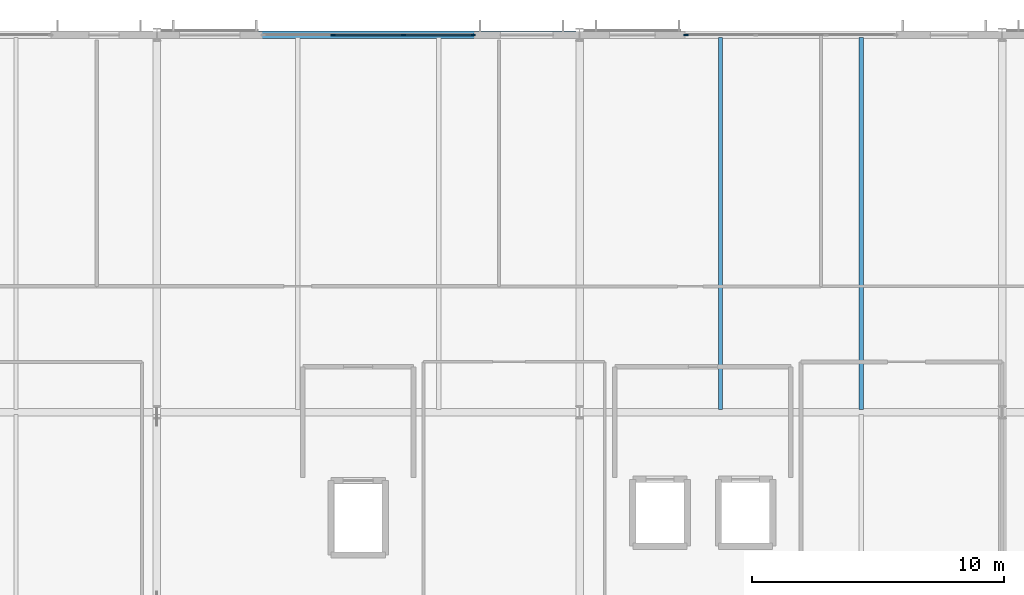
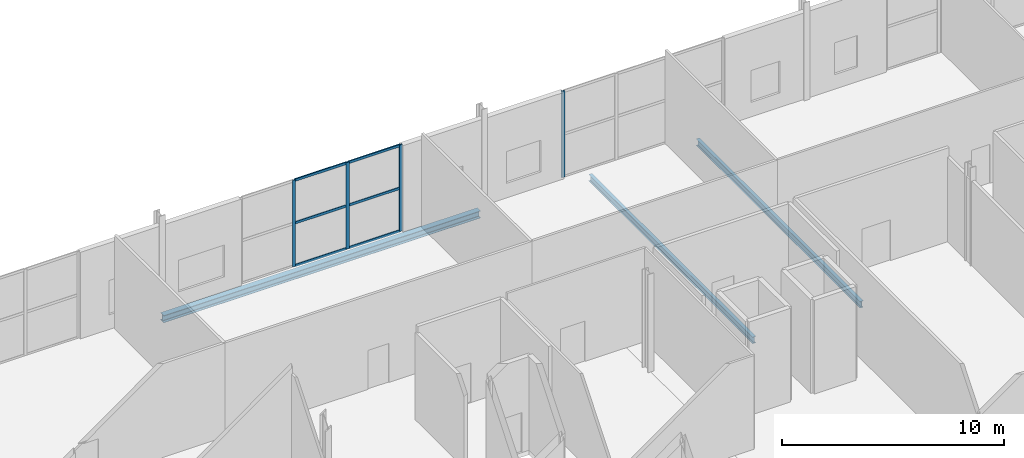
# One storey, part 32 of 84: 10 members, 3 beams, 2 elements without a shape of their own.
"""IFC4 building model written with IfcOpenShell, lengths in metres."""

from ifc_helpers import new_model, si_unit, direction, frame, origin, origin_2d, place, context, subcontext, project, spatial, rectangle, i_section, extrude, material, material_profile, profile_set, type_object, element, aggregate, save


model = new_model("IFC4")

# Units and contexts
model_context = context("Model", 3, precision=1e-05, world=origin(), true_north=direction((0.0, 1.0)))
body_context = subcontext(model_context, "Body", "Model", "MODEL_VIEW")
ifc_project = project(units=[si_unit("LENGTHUNIT", "METRE"), si_unit("AREAUNIT", "SQUARE_METRE"), si_unit("VOLUMEUNIT", "CUBIC_METRE"), si_unit("PLANEANGLEUNIT", "RADIAN"), si_unit("MASSUNIT", "GRAM", prefix="KILO")], contexts=[model_context])

# Site, building, storey
site_placement = place(None, origin())
site = spatial("IfcSite", under=ifc_project, at=site_placement, CompositionType="ELEMENT")
building_placement = place(site_placement, origin())
building = spatial("IfcBuilding", under=site, at=building_placement, Name="Kimbaza Rail Terminus", CompositionType="ELEMENT")
storey_placement = place(building_placement, frame((0.0, 0.0, 5.39990234375)))
storey = spatial("IfcBuildingStorey", under=building, at=storey_placement, Name="L01", CompositionType="ELEMENT", Elevation=5.39990234375)

# Curtain wall, members
ifc_material_1 = material(Name="Anodised aluminium framing and solar low-E glazing", Category="aluminium")
curtain_wall_type = type_object("IfcCurtainWallType", Name="ARC-CW-OP1", PredefinedType="USERDEFINED", material=ifc_material_1)
curtain_wall_1_placement = place(storey_placement, origin())
curtain_wall_1 = element("IfcCurtainWall", 1, at=curtain_wall_1_placement, inside=storey, type_object=curtain_wall_type, Name="Operations North Curtain Wall L01 Bay 2", ObjectType="UNITISED CURTAIN WALL", PredefinedType="USERDEFINED")
ifc_material_2 = material(Name="Anodised architectural aluminium", Category="aluminium")
ifc_material_profile_1 = material_profile(ifc_material_2, rectangle(XDim=0.06201171875, YDim=0.1650390625, at=origin_2d()), Name="MULLION 62x165")
ifc_profile_set_1 = profile_set([ifc_material_profile_1], Name="Anodised architectural aluminium")
member_type_1 = type_object("IfcMemberType", Name="ARC-CWM-05", PredefinedType="MULLION", material=ifc_profile_set_1)
member_1_placement = place(storey_placement, frame((79.0, 133.0, 0.0), z_axis=(0.0, 0.0, 1.0), x_axis=(0.0, 1.0, 0.0)))
member_1 = element("IfcMember", 2, at=member_1_placement, type_object=member_type_1, Name="CW-05 mullion 2", PredefinedType="MULLION", context=body_context, shape_type="SweptSolid", body=[
    extrude(rectangle(XDim=0.06201171875, YDim=0.1650390625, at=origin_2d()), origin(), (0.0, 0.0, 1.0), 4.76513671875),
])
member_2_placement = place(storey_placement, frame((81.800048828125, 133.0, 0.0), z_axis=(0.0, 0.0, 1.0), x_axis=(0.0, 1.0, 0.0)))
member_2 = element("IfcMember", 3, at=member_2_placement, type_object=member_type_1, Name="CW-05 mullion 3", PredefinedType="MULLION", context=body_context, shape_type="SweptSolid", body=[
    extrude(rectangle(XDim=0.06201171875, YDim=0.1650390625, at=origin_2d()), origin(), (0.0, 0.0, 1.0), 4.76513671875),
])
member_3_placement = place(storey_placement, frame((84.569091796875, 133.0, 0.0), z_axis=(0.0, 0.0, 1.0), x_axis=(0.0, 1.0, 0.0)))
member_3 = element("IfcMember", 4, at=member_3_placement, type_object=member_type_1, Name="CW-05 mullion 4", PredefinedType="MULLION", context=body_context, shape_type="SweptSolid", body=[
    extrude(rectangle(XDim=0.06201171875, YDim=0.1650390625, at=origin_2d()), origin(), (0.0, 0.0, 1.0), 4.76513671875),
])

# Curtain wall, member
curtain_wall_2_placement = place(storey_placement, origin())
curtain_wall_2 = element("IfcCurtainWall", 5, at=curtain_wall_2_placement, inside=storey, type_object=curtain_wall_type, Name="Operations North Curtain Wall L01 Bay 3", ObjectType="UNITISED CURTAIN WALL", PredefinedType="USERDEFINED")
member_4_placement = place(storey_placement, frame((93.031005859375, 133.0, 0.0), z_axis=(0.0, 0.0, 1.0), x_axis=(0.0, 1.0, 0.0)))
member_4 = element("IfcMember", 6, at=member_4_placement, type_object=member_type_1, Name="CW-05 mullion 1", PredefinedType="MULLION", context=body_context, shape_type="SweptSolid", body=[
    extrude(rectangle(XDim=0.06201171875, YDim=0.1650390625, at=origin_2d()), origin(), (0.0, 0.0, 1.0), 4.76513671875),
])
aggregate(curtain_wall_2, [member_4])

# Member
ifc_material_3 = material(Name="Anodised architectural aluminium", Category="aluminium")
ifc_material_profile_2 = material_profile(ifc_material_3, rectangle(XDim=0.06201171875, YDim=0.135009765625, at=origin_2d()), Name="TRANSOM 62x135")
ifc_profile_set_2 = profile_set([ifc_material_profile_2], Name="Anodised architectural aluminium")
member_type_2 = type_object("IfcMemberType", Name="ARC-CWT-05", PredefinedType="USERDEFINED", material=ifc_profile_set_2)
member_5_placement = place(storey_placement, frame((79.031005859375, 133.0, 0.031005859375), z_axis=(1.0, 0.0, 0.0), x_axis=(0.0, 1.0, 0.0)))
member_5 = element("IfcMember", 7, at=member_5_placement, type_object=member_type_2, Name="CW-05 transom 2.1", ObjectType="TRANSOM", PredefinedType="USERDEFINED", context=body_context, shape_type="SweptSolid", body=[
    extrude(rectangle(XDim=0.06201171875, YDim=0.135009765625, at=origin_2d()), origin(), (0.0, 0.0, 1.0), 2.738037109375),
])

member_6_placement = place(storey_placement, frame((79.031005859375, 133.0, 2.382568359375), z_axis=(1.0, 0.0, 0.0), x_axis=(0.0, 1.0, 0.0)))
member_6 = element("IfcMember", 8, at=member_6_placement, type_object=member_type_2, Name="CW-05 transom 2.2", ObjectType="TRANSOM", PredefinedType="USERDEFINED", context=body_context, shape_type="SweptSolid", body=[
    extrude(rectangle(XDim=0.06201171875, YDim=0.135009765625, at=origin_2d()), origin(), (0.0, 0.0, 1.0), 2.738037109375),
])

member_7_placement = place(storey_placement, frame((79.031005859375, 133.0, 4.734130859375), z_axis=(1.0, 0.0, 0.0), x_axis=(0.0, 1.0, 0.0)))
member_7 = element("IfcMember", 9, at=member_7_placement, type_object=member_type_2, Name="CW-05 transom 2.3", ObjectType="TRANSOM", PredefinedType="USERDEFINED", context=body_context, shape_type="SweptSolid", body=[
    extrude(rectangle(XDim=0.06201171875, YDim=0.135009765625, at=origin_2d()), origin(), (0.0, 0.0, 1.0), 2.738037109375),
])

member_8_placement = place(storey_placement, frame((81.8310546875, 133.0, 0.031005859375), z_axis=(1.0, 0.0, 0.0), x_axis=(0.0, 1.0, 0.0)))
member_8 = element("IfcMember", 10, at=member_8_placement, type_object=member_type_2, Name="CW-05 transom 3.1", ObjectType="TRANSOM", PredefinedType="USERDEFINED", context=body_context, shape_type="SweptSolid", body=[
    extrude(rectangle(XDim=0.06201171875, YDim=0.135009765625, at=origin_2d()), origin(), (0.0, 0.0, 1.0), 2.70703125),
])

member_9_placement = place(storey_placement, frame((81.8310546875, 133.0, 2.382568359375), z_axis=(1.0, 0.0, 0.0), x_axis=(0.0, 1.0, 0.0)))
member_9 = element("IfcMember", 11, at=member_9_placement, type_object=member_type_2, Name="CW-05 transom 3.2", ObjectType="TRANSOM", PredefinedType="USERDEFINED", context=body_context, shape_type="SweptSolid", body=[
    extrude(rectangle(XDim=0.06201171875, YDim=0.135009765625, at=origin_2d()), origin(), (0.0, 0.0, 1.0), 2.70703125),
])

member_10_placement = place(storey_placement, frame((81.8310546875, 133.0, 4.734130859375), z_axis=(1.0, 0.0, 0.0), x_axis=(0.0, 1.0, 0.0)))
member_10 = element("IfcMember", 12, at=member_10_placement, type_object=member_type_2, Name="CW-05 transom 3.3", ObjectType="TRANSOM", PredefinedType="USERDEFINED", context=body_context, shape_type="SweptSolid", body=[
    extrude(rectangle(XDim=0.06201171875, YDim=0.135009765625, at=origin_2d()), origin(), (0.0, 0.0, 1.0), 2.70703125),
])

aggregate(curtain_wall_1, [member_1, member_2, member_3, member_5, member_6, member_7, member_8, member_9, member_10])

# Beams
ifc_material_4 = material(Name="Steel S355", Category="steel")
ifc_material_profile_3 = material_profile(ifc_material_4, i_section(OverallWidth=0.300048828125, OverallDepth=0.389892578125, WebThickness=0.010986328125, FlangeThickness=0.01904296875, FilletRadius=0.027099609375, at=origin_2d()), Name="HEA 400")
ifc_profile_set_3 = profile_set([ifc_material_profile_3], Name="Steel S355")
beam_type_1 = type_object("IfcBeamType", Name="STR-BM-HEA400", PredefinedType="SPANDREL", material=ifc_profile_set_3)
beam_placement = place(storey_placement, frame((72.14599609375, 133.0, -0.434814453125), z_axis=(1.0, 0.0, 0.0), x_axis=(0.0, 1.0, 0.0)))
element("IfcBeam", 13, at=beam_placement, inside=storey, type_object=beam_type_1, Name="Operations Girder L01 X1-Y2", PredefinedType="SPANDREL", context=body_context, shape_type="SweptSolid", body=[
    extrude(i_section(OverallWidth=0.300048828125, OverallDepth=0.389892578125, WebThickness=0.010986328125, FlangeThickness=0.01904296875, FilletRadius=0.027099609375, at=origin_2d()), origin(), (0.0, 0.0, 1.0), 16.508056640625),
])
ifc_material_5 = material(Name="Steel S355", Category="steel")
ifc_material_profile_4 = material_profile(ifc_material_5, i_section(OverallWidth=0.169921875, OverallDepth=0.360107421875, WebThickness=0.008056640625, FlangeThickness=0.0126953125, FilletRadius=0.01806640625, at=origin_2d()), Name="IPE 360")
ifc_profile_set_4 = profile_set([ifc_material_profile_4], Name="Steel S355")
beam_type_2 = type_object("IfcBeamType", Name="STR-BM-IPE360", PredefinedType="JOIST", material=ifc_profile_set_4)
for number, where, z_axis, x_axis, name in (
    (14, (94.39990234375, 118.10009765625, -0.419921875), (0.0, 1.0, 0.0), (-1.0, 0.0, 0.0), "Operations Secondary Joist L01"),
    (15, (100.0, 118.10009765625, -0.419921875), (0.0, 1.0, 0.0), (-1.0, 0.0, 0.0), "Operations Secondary Joist L01"),
):
    element("IfcBeam", number, at=place(storey_placement, frame(where, z_axis=z_axis, x_axis=x_axis)), inside=storey, type_object=beam_type_2, Name=name, PredefinedType="JOIST", context=body_context, shape_type="SweptSolid", body=[
        extrude(i_section(OverallWidth=0.169921875, OverallDepth=0.360107421875, WebThickness=0.008056640625, FlangeThickness=0.0126953125, FilletRadius=0.01806640625, at=origin_2d()), origin(), (0.0, 0.0, 1.0), 14.7998046875),
    ])

save(model, "model.ifc")
